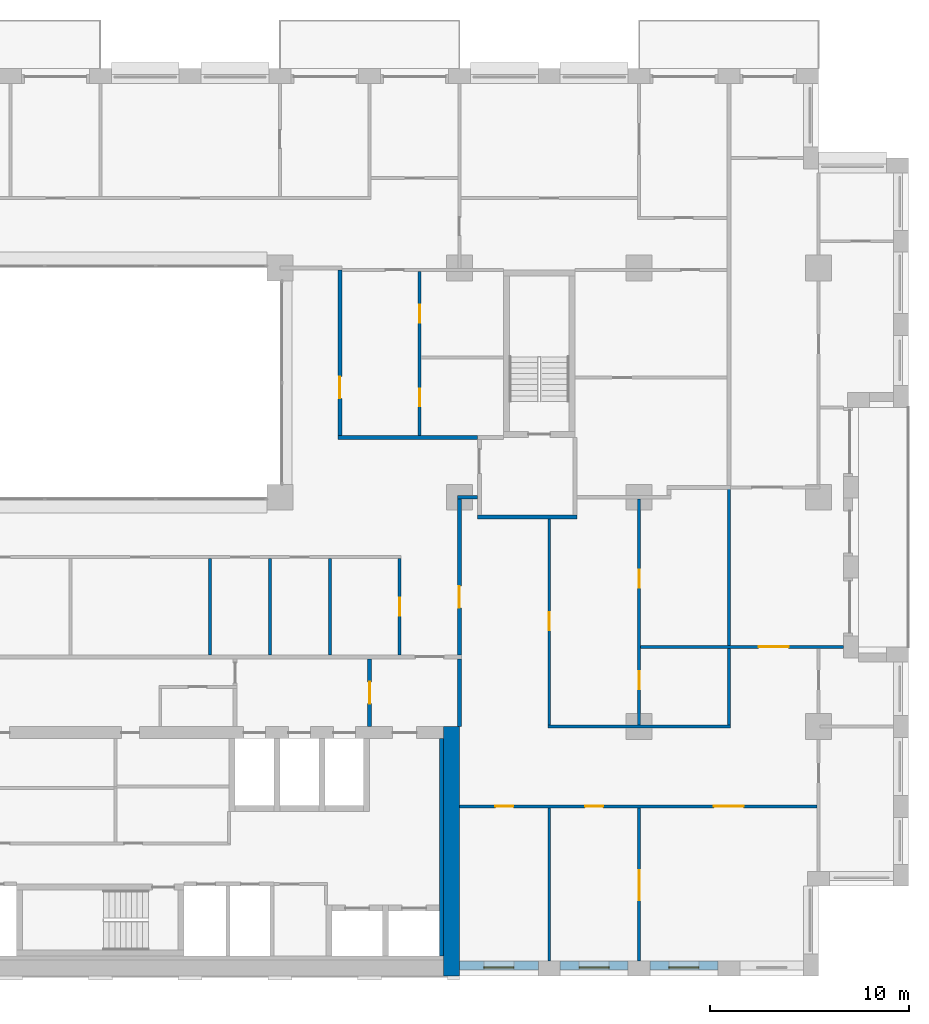
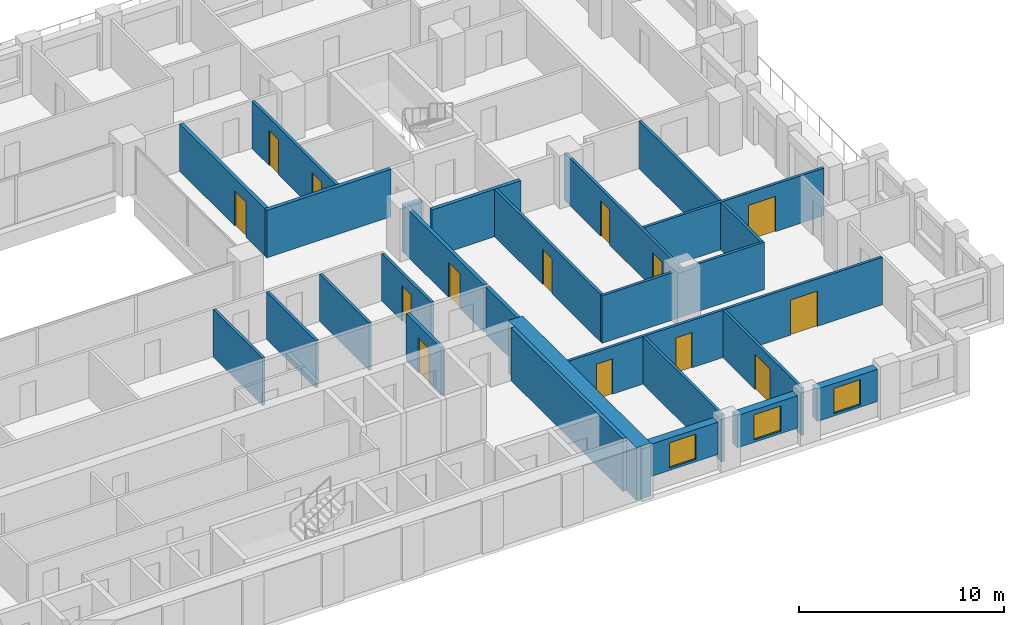
# One storey, part 11 of 16: 26 walls, 14 doors, 3 windows, 17 openings.
"""IFC4 building model written with IfcOpenShell, lengths in metres."""

import ifcopenshell
import ifcopenshell.guid

model = None  # the IFC model being written
_history = None  # IfcOwnerHistory: only IFC2X3 demands one
_inside = {}  # id of a spatial element -> (the spatial element, [elements in it])
_under = {}  # id of a project, library or spatial element -> (it, [spatial elements below it])
_declared = {}  # id of a project -> (the project, [libraries it declares])
_typed = {}  # id of a type object -> (the type object, [elements of that type])
_made_of = {}  # id of a material, layer set ... -> (it, [elements and type objects made of it])


def new_model(schema):
    """Start an empty IFC model of exactly this schema.

    Asked for "IFC4X3", IfcOpenShell would pick the latest addendum, in which some entities
    have other attributes; the version numbers below select the first issue.
    IFC2X3 requires an IfcOwnerHistory on every rooted entity: one is made here for all.
    """
    global model, _history
    if schema == "IFC4X3":
        model = ifcopenshell.file(schema_version=(4, 3, 0, 0))
    else:
        model = ifcopenshell.file(schema=schema)
    _inside.clear()
    _under.clear()
    _declared.clear()
    _typed.clear()
    _made_of.clear()
    _history = None
    if model.schema == "IFC2X3":
        org = make("IfcOrganization", Name="unknown")
        user = make(
            "IfcPersonAndOrganization",
            ThePerson=make("IfcPerson", FamilyName="unknown"),
            TheOrganization=org,
        )
        app = make(
            "IfcApplication",
            ApplicationDeveloper=org,
            Version="unknown",
            ApplicationFullName="unknown",
            ApplicationIdentifier="unknown",
        )
        _history = make(
            "IfcOwnerHistory",
            OwningUser=user,
            OwningApplication=app,
            ChangeAction="ADDED",
            CreationDate=0,
        )
    return model


def make(cls, **values):
    """One entity of the class cls with the attributes given. An attribute that is None is left unset."""
    return model.create_entity(
        cls, **{name: value for name, value in values.items() if value is not None}
    )


def rooted(cls, **values):
    """An entity with a GlobalId (a new one), such as an element, a storey or a relation."""
    return make(cls, GlobalId=ifcopenshell.guid.new(), OwnerHistory=_history, **values)


def si_unit(unit_type, name, prefix=None):
    """IfcSIUnit, for example si_unit("LENGTHUNIT", "METRE", prefix="MILLI")."""
    return make("IfcSIUnit", UnitType=unit_type, Prefix=prefix, Name=name)


def assignment(units):
    """IfcUnitAssignment: the units of a project."""
    return None if units is None else make("IfcUnitAssignment", Units=units)


def point(xyz):
    """IfcCartesianPoint."""
    return None if xyz is None else make("IfcCartesianPoint", Coordinates=xyz)


def direction(xyz):
    """IfcDirection."""
    return None if xyz is None else make("IfcDirection", DirectionRatios=xyz)


def frame(location, z_axis=None, x_axis=None):
    """IfcAxis2Placement3D, a coordinate frame: its origin and axes. An axis left out is left unset."""
    return make(
        "IfcAxis2Placement3D",
        Location=point(location),
        Axis=direction(z_axis),
        RefDirection=direction(x_axis),
    )


def frame_2d(location, x_axis=None):
    """IfcAxis2Placement2D, a coordinate frame in the plane: its origin and x axis."""
    return make(
        "IfcAxis2Placement2D", Location=point(location), RefDirection=direction(x_axis)
    )


def origin():
    """The frame at (0, 0, 0) with its axes left unset."""
    return frame((0.0, 0.0, 0.0))


def place(relative_to, where):
    """IfcLocalPlacement: puts the frame where relative to a parent placement (None: the world)."""
    return make(
        "IfcLocalPlacement", PlacementRelTo=relative_to, RelativePlacement=where
    )


def context(
    kind, dimensions, precision=None, world=None, true_north=None, identifier=None
):
    """IfcGeometricRepresentationContext, for example the 3D "Model" context."""
    return make(
        "IfcGeometricRepresentationContext",
        ContextIdentifier=identifier,
        ContextType=kind,
        CoordinateSpaceDimension=dimensions,
        Precision=precision,
        WorldCoordinateSystem=world,
        TrueNorth=true_north,
    )


def subcontext(parent, identifier, kind, view, scale=None):
    """IfcGeometricRepresentationSubContext, for example "Body" below "Model"."""
    return make(
        "IfcGeometricRepresentationSubContext",
        ContextIdentifier=identifier,
        ContextType=kind,
        ParentContext=parent,
        TargetScale=scale,
        TargetView=view,
    )


def project(units=None, contexts=None):
    """IfcProject with its units and contexts."""
    return rooted(
        "IfcProject",
        Name="project",
        RepresentationContexts=contexts,
        UnitsInContext=assignment(units),
    )


def spatial(cls, under=None, at=None, **own):
    """A site, building, storey or space (cls), placed at a placement, below another one or the project."""
    s = rooted(cls, ObjectPlacement=at, **own)
    if under is not None:
        _under.setdefault(under.id(), (under, []))[1].append(s)
    return s


def profile(cls, at=None, kind="AREA", **sizes):
    """A parametric profile (cls). Its sizes go by their IFC names, for example OverallWidth=200.0."""
    return make(cls, ProfileType=kind, Position=at, **sizes)


def rectangle(**sizes):
    """IfcRectangleProfileDef."""
    return profile("IfcRectangleProfileDef", **sizes)


def extrude(swept, where, along, depth):
    """IfcExtrudedAreaSolid: the profile swept, set in the frame where, extruded along a direction by depth."""
    return make(
        "IfcExtrudedAreaSolid",
        SweptArea=swept,
        Position=where,
        ExtrudedDirection=direction(along),
        Depth=depth,
    )


def shape(context_of_items, identifier, shape_type, items):
    """IfcShapeRepresentation: the items that make up one representation, for example the "Body"."""
    return make(
        "IfcShapeRepresentation",
        ContextOfItems=context_of_items,
        RepresentationIdentifier=identifier,
        RepresentationType=shape_type,
        Items=items,
    )


def material(Name=None, Category=None):
    """IfcMaterial."""
    return make("IfcMaterial", Name=Name, Category=Category)


def layer(
    of_material, thickness, ventilated=None, Name=None, Category=None, Priority=None
):
    """IfcMaterialLayer: one layer of a wall or slab, of a material (None: an air gap)."""
    return make(
        "IfcMaterialLayer",
        Material=of_material,
        LayerThickness=thickness,
        IsVentilated=ventilated,
        Name=Name,
        Category=Category,
        Priority=Priority,
    )


def layer_set(layers, Name=None):
    """IfcMaterialLayerSet."""
    return make("IfcMaterialLayerSet", MaterialLayers=layers, LayerSetName=Name)


def made_of(thing, what):
    """Note that an element or type object is made of a material, layer set ...; save() writes the relation."""
    if what is not None:
        _made_of.setdefault(what.id(), (what, []))[1].append(thing)
    return thing


def type_object(cls, material=None, **own):
    """A type object (cls), such as IfcWallType, which elements share."""
    return made_of(rooted(cls, **own), material)


def element(
    cls,
    number,
    at=None,
    inside=None,
    cuts=None,
    type_object=None,
    material=None,
    context=None,
    identifier="Body",
    shape_type=None,
    held_by="IfcProductDefinitionShape",
    body=None,
    shapes=None,
    **own,
):
    """One element of the class cls, such as IfcWall. Its Tag is "e" and its number.

    at: its placement. inside: the storey or other place that contains it. cuts: it is an
    opening in that element (IfcRelVoidsElement). A single representation is given by context,
    identifier, shape_type and body (its items); several are given by shapes. held_by: the class
    of the entity that holds the representations. save() writes the other relations.
    """
    e = rooted(cls, Tag="e%d" % number, ObjectPlacement=at, **own)
    if body is not None:
        shapes = [shape(context, identifier, shape_type, body)]
    if shapes is not None:
        e.Representation = make(held_by, Representations=shapes)
    if inside is not None:
        _inside.setdefault(inside.id(), (inside, []))[1].append(e)
    if cuts is not None:
        rooted(
            "IfcRelVoidsElement", RelatingBuildingElement=cuts, RelatedOpeningElement=e
        )
    if type_object is not None:
        _typed.setdefault(type_object.id(), (type_object, []))[1].append(e)
    return made_of(e, material)


def fill(opening, filler):
    """IfcRelFillsElement: the door or window that sits in an opening."""
    return rooted(
        "IfcRelFillsElement",
        RelatingOpeningElement=opening,
        RelatedBuildingElement=filler,
    )


def aggregate(whole, parts):
    """IfcRelAggregates: a whole, such as a stair, and the parts it consists of."""
    return rooted("IfcRelAggregates", RelatingObject=whole, RelatedObjects=parts)


def save(model, path):
    """Write the relations noted so far, then the file.

    IfcRelAggregates (storeys below a building ...), IfcRelContainedInSpatialStructure (elements
    in a storey), IfcRelDefinesByType, IfcRelAssociatesMaterial and IfcRelDeclares: one each for
    every whole, place, type object, material and project.
    """
    for whole, parts in _under.values():
        aggregate(whole, parts)
    for where, things in _inside.values():
        rooted(
            "IfcRelContainedInSpatialStructure",
            RelatedElements=things,
            RelatingStructure=where,
        )
    for kind, things in _typed.values():
        rooted("IfcRelDefinesByType", RelatedObjects=things, RelatingType=kind)
    for what, things in _made_of.values():
        rooted("IfcRelAssociatesMaterial", RelatedObjects=things, RelatingMaterial=what)
    for by, libraries in _declared.values():
        rooted("IfcRelDeclares", RelatingContext=by, RelatedDefinitions=libraries)
    model.write(path)


model = new_model("IFC4")

# Units and contexts
model_context = context("Model", 3, precision=1e-05, world=origin(), true_north=direction((0.0, 1.0)))
body_context = subcontext(model_context, "Body", "Model", "MODEL_VIEW")
ifc_project = project(units=[si_unit("LENGTHUNIT", "METRE"), si_unit("AREAUNIT", "SQUARE_METRE"), si_unit("VOLUMEUNIT", "CUBIC_METRE"), si_unit("PLANEANGLEUNIT", "RADIAN"), si_unit("MASSUNIT", "GRAM", prefix="KILO")], contexts=[model_context])

# Site, building, storey
site_placement = place(None, origin())
site = spatial("IfcSite", under=ifc_project, at=site_placement, CompositionType="ELEMENT")
building_placement = place(site_placement, origin())
building = spatial("IfcBuilding", under=site, at=building_placement, Name="Brigalow Station Residences", CompositionType="ELEMENT")
storey_placement = place(building_placement, frame((0.0, 0.0, 124.5)))
storey = spatial("IfcBuildingStorey", under=building, at=storey_placement, Name="L36", CompositionType="ELEMENT", Elevation=124.5)

# Wall, opening, window
ifc_material_1 = material(Name="Clay brick masonry", Category="masonry")
ifc_layer_1 = layer(ifc_material_1, 0.449951171875)
ifc_layer_set_1 = layer_set([ifc_layer_1], Name="BRICK INFILL WALL 450")
wall_type_1 = type_object("IfcWallType", Name="BRICK INFILL WALL 450", PredefinedType="SOLIDWALL", material=ifc_layer_set_1)
wall_1_placement = place(storey_placement, frame((54.0, 0.52490234375, 0.89990234375), z_axis=(0.0, 0.0, 1.0), x_axis=(1.0, 0.0, 0.0)))
wall_1 = element("IfcWall", 1, at=wall_1_placement, inside=storey, type_object=wall_type_1, Name="L36/ewall/W-L36-4", PredefinedType="SOLIDWALL", context=body_context, shape_type="SweptSolid", body=[
    extrude(rectangle(XDim=3.949951171875, YDim=0.449951171875, at=frame_2d((1.97509765625, 0.0))), origin(), (0.0, 0.0, 1.0), 1.93017578125),
])
opening_1_placement = place(wall_1_placement, frame((1.22509765625, 0.0, 0.14990234375)))
opening_1 = element("IfcOpeningElement", 2, at=opening_1_placement, cuts=wall_1, Name="Opening WT-1", PredefinedType="OPENING", context=body_context, shape_type="SweptSolid", body=[
    extrude(rectangle(XDim=1.5, YDim=1.5, at=frame_2d((0.75, 0.75))), frame((0.0, 0.23486328125, 0.0), z_axis=(0.0, -1.0, 0.0), x_axis=(1.0, 0.0, 0.0)), (0.0, 0.0, 1.0), 0.469970703125),
])
ifc_material_2 = material(Name="Anodised aluminium frame with double glazing", Category="aluminium")
window_type = type_object("IfcWindowType", Name="WINDOW 1500x1500", PartitioningType="SINGLE_PANEL", PredefinedType="WINDOW", material=ifc_material_2)
window_1_placement = place(opening_1_placement, origin())
window_1 = element("IfcWindow", 3, at=window_1_placement, inside=storey, type_object=window_type, Name="L36/window/W-L36-4", OverallHeight=1.5, OverallWidth=1.5, PartitioningType="SINGLE_PANEL", PredefinedType="WINDOW", context=body_context, shape_type="SweptSolid", body=[
    extrude(rectangle(XDim=1.5, YDim=1.5, at=frame_2d((0.75, 0.75))), frame((0.0, -0.06494140625, 0.0), z_axis=(0.0, -1.0, 0.0), x_axis=(1.0, 0.0, 0.0)), (0.0, 0.0, 1.0), 0.06005859375),
])
fill(opening_1, window_1)

wall_2_placement = place(storey_placement, frame((59.050048828125, 0.52490234375, 0.89990234375), z_axis=(0.0, 0.0, 1.0), x_axis=(1.0, 0.0, 0.0)))
wall_2 = element("IfcWall", 4, at=wall_2_placement, inside=storey, type_object=wall_type_1, Name="L36/ewall/W-L36-5", PredefinedType="SOLIDWALL", context=body_context, shape_type="SweptSolid", body=[
    extrude(rectangle(XDim=3.39990234375, YDim=0.449951171875, at=frame_2d((1.699951171875, 0.0))), origin(), (0.0, 0.0, 1.0), 1.93017578125),
])
opening_2_placement = place(wall_2_placement, frame((0.949951171875, 0.0, 0.14990234375)))
opening_2 = element("IfcOpeningElement", 5, at=opening_2_placement, cuts=wall_2, Name="Opening WT-1", PredefinedType="OPENING", context=body_context, shape_type="SweptSolid", body=[
    extrude(rectangle(XDim=1.5, YDim=1.5, at=frame_2d((0.75, 0.75))), frame((0.0, 0.23486328125, 0.0), z_axis=(0.0, -1.0, 0.0), x_axis=(1.0, 0.0, 0.0)), (0.0, 0.0, 1.0), 0.469970703125),
])
window_2_placement = place(opening_2_placement, origin())
window_2 = element("IfcWindow", 6, at=window_2_placement, inside=storey, type_object=window_type, Name="L36/window/W-L36-5", OverallHeight=1.5, OverallWidth=1.5, PartitioningType="SINGLE_PANEL", PredefinedType="WINDOW", context=body_context, shape_type="SweptSolid", body=[
    extrude(rectangle(XDim=1.5, YDim=1.5, at=frame_2d((0.75, 0.75))), frame((0.0, -0.06494140625, 0.0), z_axis=(0.0, -1.0, 0.0), x_axis=(1.0, 0.0, 0.0)), (0.0, 0.0, 1.0), 0.06005859375),
])
fill(opening_2, window_2)

wall_3_placement = place(storey_placement, frame((63.550048828125, 0.52490234375, 0.89990234375), z_axis=(0.0, 0.0, 1.0), x_axis=(1.0, 0.0, 0.0)))
wall_3 = element("IfcWall", 7, at=wall_3_placement, inside=storey, type_object=wall_type_1, Name="L36/ewall/W-L36-6", PredefinedType="SOLIDWALL", context=body_context, shape_type="SweptSolid", body=[
    extrude(rectangle(XDim=3.39990234375, YDim=0.449951171875, at=frame_2d((1.699951171875, 0.0))), origin(), (0.0, 0.0, 1.0), 1.93017578125),
])
opening_3_placement = place(wall_3_placement, frame((0.949951171875, 0.0, 0.14990234375)))
opening_3 = element("IfcOpeningElement", 8, at=opening_3_placement, cuts=wall_3, Name="Opening WT-1", PredefinedType="OPENING", context=body_context, shape_type="SweptSolid", body=[
    extrude(rectangle(XDim=1.5, YDim=1.5, at=frame_2d((0.75, 0.75))), frame((0.0, 0.23486328125, 0.0), z_axis=(0.0, -1.0, 0.0), x_axis=(1.0, 0.0, 0.0)), (0.0, 0.0, 1.0), 0.469970703125),
])
window_3_placement = place(opening_3_placement, origin())
window_3 = element("IfcWindow", 9, at=window_3_placement, inside=storey, type_object=window_type, Name="L36/window/W-L36-6", OverallHeight=1.5, OverallWidth=1.5, PartitioningType="SINGLE_PANEL", PredefinedType="WINDOW", context=body_context, shape_type="SweptSolid", body=[
    extrude(rectangle(XDim=1.5, YDim=1.5, at=frame_2d((0.75, 0.75))), frame((0.0, -0.06494140625, 0.0), z_axis=(0.0, -1.0, 0.0), x_axis=(1.0, 0.0, 0.0)), (0.0, 0.0, 1.0), 0.06005859375),
])
fill(opening_3, window_3)

# Walls
ifc_material_3 = material(Name="Concrete C65", Category="concrete")
ifc_layer_2 = layer(ifc_material_3, 0.199951171875)
ifc_layer_set_2 = layer_set([ifc_layer_2], Name="CORE SHEAR WALL 200 C65")
wall_type_2 = type_object("IfcWallType", Name="CORE SHEAR WALL 200 C65", PredefinedType="SHEAR", material=ifc_layer_set_2)
wall_4_placement = place(storey_placement, frame((53.10009765625, 1.0, 0.0), z_axis=(0.0, 0.0, 1.0), x_axis=(0.0, 1.0, 0.0)))
element("IfcWall", 10, at=wall_4_placement, inside=storey, type_object=wall_type_2, Name="CORE WALL LIN-E L36", PredefinedType="SHEAR", context=body_context, shape_type="SweptSolid", body=[
    extrude(rectangle(XDim=10.89990234375, YDim=0.199951171875, at=frame_2d((5.449951171875, 0.0))), origin(), (0.0, 0.0, 1.0), 3.14990234375),
])
ifc_material_4 = material(Name="Concrete C65", Category="concrete")
ifc_layer_3 = layer(ifc_material_4, 0.800048828125)
ifc_layer_set_3 = layer_set([ifc_layer_3], Name="CORE SHEAR WALL 800 C65")
wall_type_3 = type_object("IfcWallType", Name="CORE SHEAR WALL 800 C65", PredefinedType="SHEAR", material=ifc_layer_set_3)
wall_5_placement = place(storey_placement, frame((53.60009765625, 0.0, 0.0), z_axis=(0.0, 0.0, 1.0), x_axis=(0.0, 1.0, 0.0)))
element("IfcWall", 11, at=wall_5_placement, inside=storey, type_object=wall_type_3, Name="CORE WALL OUT-E L36", PredefinedType="SHEAR", context=body_context, shape_type="SweptSolid", body=[
    extrude(rectangle(XDim=12.5, YDim=0.800048828125, at=frame_2d((6.25, 0.0))), origin(), (0.0, 0.0, 1.0), 3.14990234375),
])
ifc_material_5 = material(Name="Concrete blockwork", Category="masonry")
ifc_layer_4 = layer(ifc_material_5, 0.199951171875)
ifc_layer_set_4 = layer_set([ifc_layer_4], Name="FIRE RATED CORE PARTITION 200")
wall_type_4 = type_object("IfcWallType", Name="FIRE RATED CORE PARTITION 200", PredefinedType="PARTITIONING", material=ifc_layer_set_4)
wall_6_placement = place(storey_placement, frame((54.89990234375, 23.0, 0.0), z_axis=(0.0, 0.0, 1.0), x_axis=(1.0, 0.0, 0.0)))
element("IfcWall", 12, at=wall_6_placement, inside=storey, type_object=wall_type_4, Name="PW-5024", PredefinedType="PARTITIONING", context=body_context, shape_type="SweptSolid", body=[
    extrude(rectangle(XDim=5.0, YDim=0.199951171875, at=frame_2d((2.5, 0.0))), origin(), (0.0, 0.0, 1.0), 2.830078125),
])

# Wall, opening, door
wall_7_placement = place(storey_placement, frame((49.5, 12.5, 0.0), z_axis=(0.0, 0.0, 1.0), x_axis=(0.0, 1.0, 0.0)))
wall_7 = element("IfcWall", 13, at=wall_7_placement, inside=storey, type_object=wall_type_4, Name="PW-5015", PredefinedType="PARTITIONING", context=body_context, shape_type="SweptSolid", body=[
    extrude(rectangle(XDim=3.39990234375, YDim=0.199951171875, at=frame_2d((1.699951171875, 0.0))), origin(), (0.0, 0.0, 1.0), 2.830078125),
])
opening_4_placement = place(wall_7_placement, frame((1.14990234375, 0.0, 0.0)))
opening_4 = element("IfcOpeningElement", 14, at=opening_4_placement, cuts=wall_7, Name="Opening D-5014", PredefinedType="OPENING", context=body_context, shape_type="SweptSolid", body=[
    extrude(rectangle(XDim=1.10009765625, YDim=2.10009765625, at=frame_2d((0.550048828125, 1.050048828125))), frame((0.0, 0.10986328125, 0.0), z_axis=(0.0, -1.0, 0.0), x_axis=(1.0, 0.0, 0.0)), (0.0, 0.0, 1.0), 0.219970703125),
])
ifc_material_6 = material(Name="Steel fire door leaf in steel frame", Category="steel")
door_type_1 = type_object("IfcDoorType", Name="LOBBY DOOR 1100 x 2100 FD60S", OperationType="SINGLE_SWING_LEFT", PredefinedType="DOOR", material=ifc_material_6)
door_1_placement = place(opening_4_placement, origin())
door_1 = element("IfcDoor", 15, at=door_1_placement, inside=storey, type_object=door_type_1, Name="D-5014", OperationType="SINGLE_SWING_LEFT", OverallHeight=2.10009765625, OverallWidth=1.10009765625, PredefinedType="DOOR", context=body_context, shape_type="SweptSolid", body=[
    extrude(rectangle(XDim=1.10009765625, YDim=2.10009765625, at=frame_2d((0.550048828125, 1.050048828125))), frame((0.0, 0.02490234375, 0.0), z_axis=(0.0, -1.0, 0.0), x_axis=(1.0, 0.0, 0.0)), (0.0, 0.0, 1.0), 0.050048828125),
])
fill(opening_4, door_1)

# Walls
wall_8_placement = place(storey_placement, frame((54.0, 12.5, 0.0), z_axis=(0.0, 0.0, 1.0), x_axis=(0.0, 1.0, 0.0)))
element("IfcWall", 16, at=wall_8_placement, inside=storey, type_object=wall_type_4, Name="PW-5016", PredefinedType="PARTITIONING", context=body_context, shape_type="SweptSolid", body=[
    extrude(rectangle(XDim=3.39990234375, YDim=0.199951171875, at=frame_2d((1.699951171875, 0.0))), origin(), (0.0, 0.0, 1.0), 2.830078125),
])
ifc_material_7 = material(Name="Plasterboard on steel stud partition", Category="steel")
ifc_layer_5 = layer(ifc_material_7, 0.14990234375)
ifc_layer_set_5 = layer_set([ifc_layer_5], Name="FLAT PARTITION 150")
wall_type_5 = type_object("IfcWallType", Name="FLAT PARTITION 150", PredefinedType="PARTITIONING", material=ifc_layer_set_5)
wall_9_placement = place(storey_placement, frame((58.425048828125, 12.5, 0.0), z_axis=(0.0, 0.0, 1.0), x_axis=(1.0, 0.0, 0.0)))
element("IfcWall", 17, at=wall_9_placement, inside=storey, type_object=wall_type_5, Name="PW-2F11", PredefinedType="PARTITIONING", context=body_context, shape_type="SweptSolid", body=[
    extrude(rectangle(XDim=9.14990234375, YDim=0.14990234375, at=frame_2d((4.574951171875, 0.0))), origin(), (0.0, 0.0, 1.0), 2.830078125),
])

# Wall, opening, door
wall_10_placement = place(storey_placement, frame((63.074951171875, 16.5, 0.0), z_axis=(0.0, 0.0, 1.0), x_axis=(1.0, 0.0, 0.0)))
wall_10 = element("IfcWall", 18, at=wall_10_placement, inside=storey, type_object=wall_type_5, Name="PW-2F14", PredefinedType="PARTITIONING", context=body_context, shape_type="SweptSolid", body=[
    extrude(rectangle(XDim=10.175048828125, YDim=0.14990234375, at=frame_2d((5.08740234375, 0.0))), origin(), (0.0, 0.0, 1.0), 2.830078125),
])
opening_5_placement = place(wall_10_placement, frame((5.925048828125, 0.0, 0.0)))
opening_5 = element("IfcOpeningElement", 19, at=opening_5_placement, cuts=wall_10, Name="Opening D-2F45", PredefinedType="OPENING", context=body_context, shape_type="SweptSolid", body=[
    extrude(rectangle(XDim=1.5, YDim=2.10009765625, at=frame_2d((0.75, 1.050048828125))), frame((0.0, 0.0849609375, 0.0), z_axis=(0.0, -1.0, 0.0), x_axis=(1.0, 0.0, 0.0)), (0.0, 0.0, 1.0), 0.169921875),
])
ifc_material_8 = material(Name="Solid-core timber door leaf", Category="wood")
door_type_2 = type_object("IfcDoorType", Name="INTERNAL DOUBLE DOOR 1500 x 2100", OperationType="DOUBLE_DOOR_SINGLE_SWING", PredefinedType="DOOR", material=ifc_material_8)
door_2_placement = place(opening_5_placement, origin())
door_2 = element("IfcDoor", 20, at=door_2_placement, inside=storey, type_object=door_type_2, Name="D-2F45", OperationType="DOUBLE_DOOR_SINGLE_SWING", OverallHeight=2.10009765625, OverallWidth=1.5, PredefinedType="DOOR", context=body_context, shape_type="SweptSolid", body=[
    extrude(rectangle(XDim=1.5, YDim=2.10009765625, at=frame_2d((0.75, 1.050048828125))), frame((0.0, 0.02490234375, 0.0), z_axis=(0.0, -1.0, 0.0), x_axis=(1.0, 0.0, 0.0)), (0.0, 0.0, 1.0), 0.050048828125),
])
fill(opening_5, door_2)

# Wall, openings, doors
wall_11_placement = place(storey_placement, frame((54.0, 8.5, 0.0), z_axis=(0.0, 0.0, 1.0), x_axis=(1.0, 0.0, 0.0)))
wall_11 = element("IfcWall", 21, at=wall_11_placement, inside=storey, type_object=wall_type_5, Name="PW-2F16", PredefinedType="PARTITIONING", context=body_context, shape_type="SweptSolid", body=[
    extrude(rectangle(XDim=17.925048828125, YDim=0.14990234375, at=frame_2d((8.96240234375, 0.0))), origin(), (0.0, 0.0, 1.0), 2.830078125),
])
opening_6_placement = place(wall_11_placement, frame((1.800048828125, 0.0, 0.0)))
opening_6 = element("IfcOpeningElement", 22, at=opening_6_placement, cuts=wall_11, Name="Opening D-2F36", PredefinedType="OPENING", context=body_context, shape_type="SweptSolid", body=[
    extrude(rectangle(XDim=0.89990234375, YDim=2.10009765625, at=frame_2d((0.449951171875, 1.050048828125))), frame((0.0, 0.0849609375, 0.0), z_axis=(0.0, -1.0, 0.0), x_axis=(1.0, 0.0, 0.0)), (0.0, 0.0, 1.0), 0.169921875),
])
opening_7_placement = place(wall_11_placement, frame((12.75, 0.0, 0.0)))
opening_7 = element("IfcOpeningElement", 23, at=opening_7_placement, cuts=wall_11, Name="Opening D-2F37", PredefinedType="OPENING", context=body_context, shape_type="SweptSolid", body=[
    extrude(rectangle(XDim=1.5, YDim=2.10009765625, at=frame_2d((0.75, 1.050048828125))), frame((0.0, 0.0849609375, 0.0), z_axis=(0.0, -1.0, 0.0), x_axis=(1.0, 0.0, 0.0)), (0.0, 0.0, 1.0), 0.169921875),
])
opening_8_placement = place(wall_11_placement, frame((6.300048828125, 0.0, 0.0)))
opening_8 = element("IfcOpeningElement", 24, at=opening_8_placement, cuts=wall_11, Name="Opening D-2F38", PredefinedType="OPENING", context=body_context, shape_type="SweptSolid", body=[
    extrude(rectangle(XDim=0.89990234375, YDim=2.10009765625, at=frame_2d((0.449951171875, 1.050048828125))), frame((0.0, 0.0849609375, 0.0), z_axis=(0.0, -1.0, 0.0), x_axis=(1.0, 0.0, 0.0)), (0.0, 0.0, 1.0), 0.169921875),
])
ifc_material_9 = material(Name="Solid-core timber door leaf", Category="wood")
door_type_3 = type_object("IfcDoorType", Name="INTERNAL DOOR 900 x 2100", OperationType="SINGLE_SWING_LEFT", PredefinedType="DOOR", material=ifc_material_9)
door_3_placement = place(opening_6_placement, frame((0.89990234375, 0.0, 0.0), z_axis=(0.0, 0.0, 1.0), x_axis=(-1.0, 0.0, 0.0)))
door_3 = element("IfcDoor", 25, at=door_3_placement, inside=storey, type_object=door_type_3, Name="D-2F36", OperationType="SINGLE_SWING_LEFT", OverallHeight=2.10009765625, OverallWidth=0.89990234375, PredefinedType="DOOR", context=body_context, shape_type="SweptSolid", body=[
    extrude(rectangle(XDim=0.89990234375, YDim=2.10009765625, at=frame_2d((0.449951171875, 1.050048828125))), frame((0.0, 0.02490234375, 0.0), z_axis=(0.0, -1.0, 0.0), x_axis=(1.0, 0.0, 0.0)), (0.0, 0.0, 1.0), 0.050048828125),
])
fill(opening_6, door_3)
door_4_placement = place(opening_8_placement, frame((0.89990234375, 0.0, 0.0), z_axis=(0.0, 0.0, 1.0), x_axis=(-1.0, 0.0, 0.0)))
door_4 = element("IfcDoor", 26, at=door_4_placement, inside=storey, type_object=door_type_3, Name="D-2F38", OperationType="SINGLE_SWING_LEFT", OverallHeight=2.10009765625, OverallWidth=0.89990234375, PredefinedType="DOOR", context=body_context, shape_type="SweptSolid", body=[
    extrude(rectangle(XDim=0.89990234375, YDim=2.10009765625, at=frame_2d((0.449951171875, 1.050048828125))), frame((0.0, 0.02490234375, 0.0), z_axis=(0.0, -1.0, 0.0), x_axis=(1.0, 0.0, 0.0)), (0.0, 0.0, 1.0), 0.050048828125),
])
fill(opening_8, door_4)
door_5_placement = place(opening_7_placement, frame((1.5, 0.0, 0.0), z_axis=(0.0, 0.0, 1.0), x_axis=(-1.0, 0.0, 0.0)))
door_5 = element("IfcDoor", 27, at=door_5_placement, inside=storey, type_object=door_type_2, Name="D-2F37", OperationType="DOUBLE_DOOR_SINGLE_SWING", OverallHeight=2.10009765625, OverallWidth=1.5, PredefinedType="DOOR", context=body_context, shape_type="SweptSolid", body=[
    extrude(rectangle(XDim=1.5, YDim=2.10009765625, at=frame_2d((0.75, 1.050048828125))), frame((0.0, 0.02490234375, 0.0), z_axis=(0.0, -1.0, 0.0), x_axis=(1.0, 0.0, 0.0)), (0.0, 0.0, 1.0), 0.050048828125),
])
fill(opening_7, door_5)

# Wall, opening, door
wall_12_placement = place(storey_placement, frame((51.0, 16.10009765625, 0.0), z_axis=(0.0, 0.0, 1.0), x_axis=(0.0, 1.0, 0.0)))
wall_12 = element("IfcWall", 28, at=wall_12_placement, inside=storey, type_object=wall_type_5, Name="PW-2F44", PredefinedType="PARTITIONING", context=body_context, shape_type="SweptSolid", body=[
    extrude(rectangle(XDim=4.824951171875, YDim=0.14990234375, at=frame_2d((2.41259765625, 0.0))), origin(), (0.0, 0.0, 1.0), 2.830078125),
])
opening_9_placement = place(wall_12_placement, frame((1.949951171875, 0.0, 0.0)))
opening_9 = element("IfcOpeningElement", 29, at=opening_9_placement, cuts=wall_12, Name="Opening D-2F56", PredefinedType="OPENING", context=body_context, shape_type="SweptSolid", body=[
    extrude(rectangle(XDim=0.89990234375, YDim=2.10009765625, at=frame_2d((0.449951171875, 1.050048828125))), frame((0.0, 0.0849609375, 0.0), z_axis=(0.0, -1.0, 0.0), x_axis=(1.0, 0.0, 0.0)), (0.0, 0.0, 1.0), 0.169921875),
])
door_6_placement = place(opening_9_placement, origin())
door_6 = element("IfcDoor", 30, at=door_6_placement, inside=storey, type_object=door_type_3, Name="D-2F56", OperationType="SINGLE_SWING_LEFT", OverallHeight=2.10009765625, OverallWidth=0.89990234375, PredefinedType="DOOR", context=body_context, shape_type="SweptSolid", body=[
    extrude(rectangle(XDim=0.89990234375, YDim=2.10009765625, at=frame_2d((0.449951171875, 1.050048828125))), frame((0.0, 0.02490234375, 0.0), z_axis=(0.0, -1.0, 0.0), x_axis=(1.0, 0.0, 0.0)), (0.0, 0.0, 1.0), 0.050048828125),
])
fill(opening_9, door_6)

# Wall, openings, doors
wall_13_placement = place(storey_placement, frame((52.0, 27.10009765625, 0.0), z_axis=(0.0, 0.0, 1.0), x_axis=(0.0, 1.0, 0.0)))
wall_13 = element("IfcWall", 31, at=wall_13_placement, inside=storey, type_object=wall_type_5, Name="PW-2F56", PredefinedType="PARTITIONING", context=body_context, shape_type="SweptSolid", body=[
    extrude(rectangle(XDim=8.224853515625, YDim=0.14990234375, at=frame_2d((4.1123046875, 0.0))), origin(), (0.0, 0.0, 1.0), 2.830078125),
])
opening_10_placement = place(wall_13_placement, frame((1.449951171875, 0.0, 0.0)))
opening_10 = element("IfcOpeningElement", 32, at=opening_10_placement, cuts=wall_13, Name="Opening D-2F21", PredefinedType="OPENING", context=body_context, shape_type="SweptSolid", body=[
    extrude(rectangle(XDim=0.89990234375, YDim=2.10009765625, at=frame_2d((0.449951171875, 1.050048828125))), frame((0.0, 0.0849609375, 0.0), z_axis=(0.0, -1.0, 0.0), x_axis=(1.0, 0.0, 0.0)), (0.0, 0.0, 1.0), 0.169921875),
])
opening_11_placement = place(wall_13_placement, frame((5.64990234375, 0.0, 0.0)))
opening_11 = element("IfcOpeningElement", 33, at=opening_11_placement, cuts=wall_13, Name="Opening D-2F22", PredefinedType="OPENING", context=body_context, shape_type="SweptSolid", body=[
    extrude(rectangle(XDim=0.89990234375, YDim=2.10009765625, at=frame_2d((0.449951171875, 1.050048828125))), frame((0.0, 0.0849609375, 0.0), z_axis=(0.0, -1.0, 0.0), x_axis=(1.0, 0.0, 0.0)), (0.0, 0.0, 1.0), 0.169921875),
])
door_7_placement = place(opening_10_placement, frame((0.89990234375, 0.0, 0.0), z_axis=(0.0, 0.0, 1.0), x_axis=(-1.0, 0.0, 0.0)))
door_7 = element("IfcDoor", 34, at=door_7_placement, inside=storey, type_object=door_type_3, Name="D-2F21", OperationType="SINGLE_SWING_RIGHT", OverallHeight=2.10009765625, OverallWidth=0.89990234375, PredefinedType="DOOR", context=body_context, shape_type="SweptSolid", body=[
    extrude(rectangle(XDim=0.89990234375, YDim=2.10009765625, at=frame_2d((0.449951171875, 1.050048828125))), frame((0.0, 0.02490234375, 0.0), z_axis=(0.0, -1.0, 0.0), x_axis=(1.0, 0.0, 0.0)), (0.0, 0.0, 1.0), 0.050048828125),
])
fill(opening_10, door_7)
door_8_placement = place(opening_11_placement, frame((0.89990234375, 0.0, 0.0), z_axis=(0.0, 0.0, 1.0), x_axis=(-1.0, 0.0, 0.0)))
door_8 = element("IfcDoor", 35, at=door_8_placement, inside=storey, type_object=door_type_3, Name="D-2F22", OperationType="SINGLE_SWING_LEFT", OverallHeight=2.10009765625, OverallWidth=0.89990234375, PredefinedType="DOOR", context=body_context, shape_type="SweptSolid", body=[
    extrude(rectangle(XDim=0.89990234375, YDim=2.10009765625, at=frame_2d((0.449951171875, 1.050048828125))), frame((0.0, 0.02490234375, 0.0), z_axis=(0.0, -1.0, 0.0), x_axis=(1.0, 0.0, 0.0)), (0.0, 0.0, 1.0), 0.050048828125),
])
fill(opening_11, door_8)

# Wall, opening, door
wall_14_placement = place(storey_placement, frame((63.0, 0.75, 0.0), z_axis=(0.0, 0.0, 1.0), x_axis=(0.0, 1.0, 0.0)))
wall_14 = element("IfcWall", 36, at=wall_14_placement, inside=storey, type_object=wall_type_5, Name="PW-2F61", PredefinedType="PARTITIONING", context=body_context, shape_type="SweptSolid", body=[
    extrude(rectangle(XDim=7.675048828125, YDim=0.14990234375, at=frame_2d((3.83740234375, 0.0))), origin(), (0.0, 0.0, 1.0), 2.830078125),
])
opening_12_placement = place(wall_14_placement, frame((3.050048828125, 0.0, 0.0)))
opening_12 = element("IfcOpeningElement", 37, at=opening_12_placement, cuts=wall_14, Name="Opening D-2F39", PredefinedType="OPENING", context=body_context, shape_type="SweptSolid", body=[
    extrude(rectangle(XDim=1.5, YDim=2.10009765625, at=frame_2d((0.75, 1.050048828125))), frame((0.0, 0.0849609375, 0.0), z_axis=(0.0, -1.0, 0.0), x_axis=(1.0, 0.0, 0.0)), (0.0, 0.0, 1.0), 0.169921875),
])
door_9_placement = place(opening_12_placement, origin())
door_9 = element("IfcDoor", 38, at=door_9_placement, inside=storey, type_object=door_type_2, Name="D-2F39", OperationType="DOUBLE_DOOR_SINGLE_SWING", OverallHeight=2.10009765625, OverallWidth=1.5, PredefinedType="DOOR", context=body_context, shape_type="SweptSolid", body=[
    extrude(rectangle(XDim=1.5, YDim=2.10009765625, at=frame_2d((0.75, 1.050048828125))), frame((0.0, 0.02490234375, 0.0), z_axis=(0.0, -1.0, 0.0), x_axis=(1.0, 0.0, 0.0)), (0.0, 0.0, 1.0), 0.050048828125),
])
fill(opening_12, door_9)

# Wall, openings, doors
wall_15_placement = place(storey_placement, frame((63.0, 12.574951171875, 0.0), z_axis=(0.0, 0.0, 1.0), x_axis=(0.0, 1.0, 0.0)))
wall_15 = element("IfcWall", 39, at=wall_15_placement, inside=storey, type_object=wall_type_5, Name="PW-2F62", PredefinedType="PARTITIONING", context=body_context, shape_type="SweptSolid", body=[
    extrude(rectangle(XDim=11.324951171875, YDim=0.14990234375, at=frame_2d((5.66259765625, 0.0))), origin(), (0.0, 0.0, 1.0), 2.830078125),
])
opening_13_placement = place(wall_15_placement, frame((1.800048828125, 0.0, 0.0)))
opening_13 = element("IfcOpeningElement", 40, at=opening_13_placement, cuts=wall_15, Name="Opening D-2F42", PredefinedType="OPENING", context=body_context, shape_type="SweptSolid", body=[
    extrude(rectangle(XDim=0.89990234375, YDim=2.10009765625, at=frame_2d((0.449951171875, 1.050048828125))), frame((0.0, 0.0849609375, 0.0), z_axis=(0.0, -1.0, 0.0), x_axis=(1.0, 0.0, 0.0)), (0.0, 0.0, 1.0), 0.169921875),
])
opening_14_placement = place(wall_15_placement, frame((6.89990234375, 0.0, 0.0)))
opening_14 = element("IfcOpeningElement", 41, at=opening_14_placement, cuts=wall_15, Name="Opening D-2F43", PredefinedType="OPENING", context=body_context, shape_type="SweptSolid", body=[
    extrude(rectangle(XDim=0.89990234375, YDim=2.10009765625, at=frame_2d((0.449951171875, 1.050048828125))), frame((0.0, 0.0849609375, 0.0), z_axis=(0.0, -1.0, 0.0), x_axis=(1.0, 0.0, 0.0)), (0.0, 0.0, 1.0), 0.169921875),
])
door_10_placement = place(opening_13_placement, frame((0.89990234375, 0.0, 0.0), z_axis=(0.0, 0.0, 1.0), x_axis=(-1.0, 0.0, 0.0)))
door_10 = element("IfcDoor", 42, at=door_10_placement, inside=storey, type_object=door_type_3, Name="D-2F42", OperationType="SINGLE_SWING_LEFT", OverallHeight=2.10009765625, OverallWidth=0.89990234375, PredefinedType="DOOR", context=body_context, shape_type="SweptSolid", body=[
    extrude(rectangle(XDim=0.89990234375, YDim=2.10009765625, at=frame_2d((0.449951171875, 1.050048828125))), frame((0.0, 0.02490234375, 0.0), z_axis=(0.0, -1.0, 0.0), x_axis=(1.0, 0.0, 0.0)), (0.0, 0.0, 1.0), 0.050048828125),
])
fill(opening_13, door_10)
door_11_placement = place(opening_14_placement, frame((0.89990234375, 0.0, 0.0), z_axis=(0.0, 0.0, 1.0), x_axis=(-1.0, 0.0, 0.0)))
door_11 = element("IfcDoor", 43, at=door_11_placement, inside=storey, type_object=door_type_3, Name="D-2F43", OperationType="SINGLE_SWING_RIGHT", OverallHeight=2.10009765625, OverallWidth=0.89990234375, PredefinedType="DOOR", context=body_context, shape_type="SweptSolid", body=[
    extrude(rectangle(XDim=0.89990234375, YDim=2.10009765625, at=frame_2d((0.449951171875, 1.050048828125))), frame((0.0, 0.02490234375, 0.0), z_axis=(0.0, -1.0, 0.0), x_axis=(1.0, 0.0, 0.0)), (0.0, 0.0, 1.0), 0.050048828125),
])
fill(opening_14, door_11)

# Walls
wall_16_placement = place(storey_placement, frame((67.5, 12.574951171875, 0.0), z_axis=(0.0, 0.0, 1.0), x_axis=(0.0, 1.0, 0.0)))
element("IfcWall", 44, at=wall_16_placement, inside=storey, type_object=wall_type_5, Name="PW-2F64", PredefinedType="PARTITIONING", context=body_context, shape_type="SweptSolid", body=[
    extrude(rectangle(XDim=3.85009765625, YDim=0.14990234375, at=frame_2d((1.925048828125, 0.0))), origin(), (0.0, 0.0, 1.0), 2.830078125),
])
wall_17_placement = place(storey_placement, frame((67.5, 16.574951171875, 0.0), z_axis=(0.0, 0.0, 1.0), x_axis=(0.0, 1.0, 0.0)))
element("IfcWall", 45, at=wall_17_placement, inside=storey, type_object=wall_type_5, Name="PW-2F65", PredefinedType="PARTITIONING", context=body_context, shape_type="SweptSolid", body=[
    extrude(rectangle(XDim=7.85009765625, YDim=0.14990234375, at=frame_2d((3.925048828125, 0.0))), origin(), (0.0, 0.0, 1.0), 2.830078125),
])
wall_18_placement = place(storey_placement, frame((58.5, 0.75, 0.0), z_axis=(0.0, 0.0, 1.0), x_axis=(0.0, 1.0, 0.0)))
element("IfcWall", 46, at=wall_18_placement, inside=storey, type_object=wall_type_5, Name="PW-2F68", PredefinedType="PARTITIONING", context=body_context, shape_type="SweptSolid", body=[
    extrude(rectangle(XDim=7.675048828125, YDim=0.14990234375, at=frame_2d((3.83740234375, 0.0))), origin(), (0.0, 0.0, 1.0), 2.830078125),
])

# Wall, opening, door
wall_19_placement = place(storey_placement, frame((58.5, 12.574951171875, 0.0), z_axis=(0.0, 0.0, 1.0), x_axis=(0.0, 1.0, 0.0)))
wall_19 = element("IfcWall", 47, at=wall_19_placement, inside=storey, type_object=wall_type_5, Name="PW-2F69", PredefinedType="PARTITIONING", context=body_context, shape_type="SweptSolid", body=[
    extrude(rectangle(XDim=10.324951171875, YDim=0.14990234375, at=frame_2d((5.16259765625, 0.0))), origin(), (0.0, 0.0, 1.0), 2.830078125),
])
opening_15_placement = place(wall_19_placement, frame((4.75, 0.0, 0.0)))
opening_15 = element("IfcOpeningElement", 48, at=opening_15_placement, cuts=wall_19, Name="Opening D-2F41", PredefinedType="OPENING", context=body_context, shape_type="SweptSolid", body=[
    extrude(rectangle(XDim=0.89990234375, YDim=2.10009765625, at=frame_2d((0.449951171875, 1.050048828125))), frame((0.0, 0.0849609375, 0.0), z_axis=(0.0, -1.0, 0.0), x_axis=(1.0, 0.0, 0.0)), (0.0, 0.0, 1.0), 0.169921875),
])
door_12_placement = place(opening_15_placement, frame((0.89990234375, 0.0, 0.0), z_axis=(0.0, 0.0, 1.0), x_axis=(-1.0, 0.0, 0.0)))
door_12 = element("IfcDoor", 49, at=door_12_placement, inside=storey, type_object=door_type_3, Name="D-2F41", OperationType="SINGLE_SWING_LEFT", OverallHeight=2.10009765625, OverallWidth=0.89990234375, PredefinedType="DOOR", context=body_context, shape_type="SweptSolid", body=[
    extrude(rectangle(XDim=0.89990234375, YDim=2.10009765625, at=frame_2d((0.449951171875, 1.050048828125))), frame((0.0, 0.02490234375, 0.0), z_axis=(0.0, -1.0, 0.0), x_axis=(1.0, 0.0, 0.0)), (0.0, 0.0, 1.0), 0.050048828125),
])
fill(opening_15, door_12)

# Walls
for number, where, z_axis, x_axis, name in (
    (50, (41.5, 16.10009765625, 0.0), (0.0, 0.0, 1.0), (0.0, 1.0, 0.0), "PW-2F74"),
    (51, (44.5, 16.10009765625, 0.0), (0.0, 0.0, 1.0), (0.0, 1.0, 0.0), "PW-2F75"),
    (52, (47.5, 16.10009765625, 0.0), (0.0, 0.0, 1.0), (0.0, 1.0, 0.0), "PW-2F76"),
):
    element("IfcWall", number, at=place(storey_placement, frame(where, z_axis=z_axis, x_axis=x_axis)), inside=storey, type_object=wall_type_5, Name=name, PredefinedType="PARTITIONING", context=body_context, shape_type="SweptSolid", body=[
        extrude(rectangle(XDim=4.824951171875, YDim=0.14990234375, at=frame_2d((2.41259765625, 0.0))), origin(), (0.0, 0.0, 1.0), 2.830078125),
    ])
ifc_material_10 = material(Name="Plasterboard on steel stud partition", Category="steel")
ifc_layer_6 = layer(ifc_material_10, 0.199951171875)
ifc_layer_set_6 = layer_set([ifc_layer_6], Name="PARTY AND CORRIDOR WALL 200")
wall_type_6 = type_object("IfcWallType", Name="PARTY AND CORRIDOR WALL 200", PredefinedType="PARTITIONING", material=ifc_layer_set_6)
wall_20_placement = place(storey_placement, frame((53.89990234375, 24.0, 0.0), z_axis=(0.0, 0.0, 1.0), x_axis=(1.0, 0.0, 0.0)))
element("IfcWall", 53, at=wall_20_placement, inside=storey, type_object=wall_type_6, Name="PW-2F03", PredefinedType="PARTITIONING", context=body_context, shape_type="SweptSolid", body=[
    extrude(rectangle(XDim=1.0, YDim=0.199951171875, at=frame_2d((0.5, 0.0))), origin(), (0.0, 0.0, 1.0), 2.830078125),
])
wall_21_placement = place(storey_placement, frame((47.89990234375, 27.0, 0.0), z_axis=(0.0, 0.0, 1.0), x_axis=(1.0, 0.0, 0.0)))
element("IfcWall", 54, at=wall_21_placement, inside=storey, type_object=wall_type_6, Name="PW-2F06", PredefinedType="PARTITIONING", context=body_context, shape_type="SweptSolid", body=[
    extrude(rectangle(XDim=7.0, YDim=0.199951171875, at=frame_2d((3.5, 0.0))), origin(), (0.0, 0.0, 1.0), 2.830078125),
])

# Wall, opening, door
wall_22_placement = place(storey_placement, frame((54.0, 16.10009765625, 0.0), z_axis=(0.0, 0.0, 1.0), x_axis=(0.0, 1.0, 0.0)))
wall_22 = element("IfcWall", 55, at=wall_22_placement, inside=storey, type_object=wall_type_6, Name="PW-2F42", PredefinedType="PARTITIONING", context=body_context, shape_type="SweptSolid", body=[
    extrude(rectangle(XDim=7.7998046875, YDim=0.199951171875, at=frame_2d((3.89990234375, 0.0))), origin(), (0.0, 0.0, 1.0), 2.830078125),
])
opening_16_placement = place(wall_22_placement, frame((2.35009765625, 0.0, 0.0)))
opening_16 = element("IfcOpeningElement", 56, at=opening_16_placement, cuts=wall_22, Name="Opening D-2F35", PredefinedType="OPENING", context=body_context, shape_type="SweptSolid", body=[
    extrude(rectangle(XDim=1.10009765625, YDim=2.10009765625, at=frame_2d((0.550048828125, 1.050048828125))), frame((0.0, 0.10986328125, 0.0), z_axis=(0.0, -1.0, 0.0), x_axis=(1.0, 0.0, 0.0)), (0.0, 0.0, 1.0), 0.219970703125),
])
ifc_material_11 = material(Name="Solid-core timber door leaf", Category="wood")
door_type_4 = type_object("IfcDoorType", Name="FLAT ENTRANCE DOOR 1100 x 2100 FRL -/60/30", OperationType="SINGLE_SWING_LEFT", PredefinedType="DOOR", material=ifc_material_11)
door_13_placement = place(opening_16_placement, frame((1.10009765625, 0.0, 0.0), z_axis=(0.0, 0.0, 1.0), x_axis=(-1.0, 0.0, 0.0)))
door_13 = element("IfcDoor", 57, at=door_13_placement, inside=storey, type_object=door_type_4, Name="D-2F35", OperationType="SINGLE_SWING_LEFT", OverallHeight=2.10009765625, OverallWidth=1.10009765625, PredefinedType="DOOR", context=body_context, shape_type="SweptSolid", body=[
    extrude(rectangle(XDim=1.10009765625, YDim=2.10009765625, at=frame_2d((0.550048828125, 1.050048828125))), frame((0.0, 0.02490234375, 0.0), z_axis=(0.0, -1.0, 0.0), x_axis=(1.0, 0.0, 0.0)), (0.0, 0.0, 1.0), 0.050048828125),
])
fill(opening_16, door_13)

wall_23_placement = place(storey_placement, frame((48.0, 27.10009765625, 0.0), z_axis=(0.0, 0.0, 1.0), x_axis=(0.0, 1.0, 0.0)))
wall_23 = element("IfcWall", 58, at=wall_23_placement, inside=storey, type_object=wall_type_6, Name="PW-2F47", PredefinedType="PARTITIONING", context=body_context, shape_type="SweptSolid", body=[
    extrude(rectangle(XDim=8.2998046875, YDim=0.199951171875, at=frame_2d((4.14990234375, 0.0))), origin(), (0.0, 0.0, 1.0), 2.830078125),
])
opening_17_placement = place(wall_23_placement, frame((1.85009765625, 0.0, 0.0)))
opening_17 = element("IfcOpeningElement", 59, at=opening_17_placement, cuts=wall_23, Name="Opening D-2F20", PredefinedType="OPENING", context=body_context, shape_type="SweptSolid", body=[
    extrude(rectangle(XDim=1.10009765625, YDim=2.10009765625, at=frame_2d((0.550048828125, 1.050048828125))), frame((0.0, 0.10986328125, 0.0), z_axis=(0.0, -1.0, 0.0), x_axis=(1.0, 0.0, 0.0)), (0.0, 0.0, 1.0), 0.219970703125),
])
door_14_placement = place(opening_17_placement, frame((1.10009765625, 0.0, 0.0), z_axis=(0.0, 0.0, 1.0), x_axis=(-1.0, 0.0, 0.0)))
door_14 = element("IfcDoor", 60, at=door_14_placement, inside=storey, type_object=door_type_4, Name="D-2F20", OperationType="SINGLE_SWING_RIGHT", OverallHeight=2.10009765625, OverallWidth=1.10009765625, PredefinedType="DOOR", context=body_context, shape_type="SweptSolid", body=[
    extrude(rectangle(XDim=1.10009765625, YDim=2.10009765625, at=frame_2d((0.550048828125, 1.050048828125))), frame((0.0, 0.02490234375, 0.0), z_axis=(0.0, -1.0, 0.0), x_axis=(1.0, 0.0, 0.0)), (0.0, 0.0, 1.0), 0.050048828125),
])
fill(opening_17, door_14)

save(model, "model.ifc")
